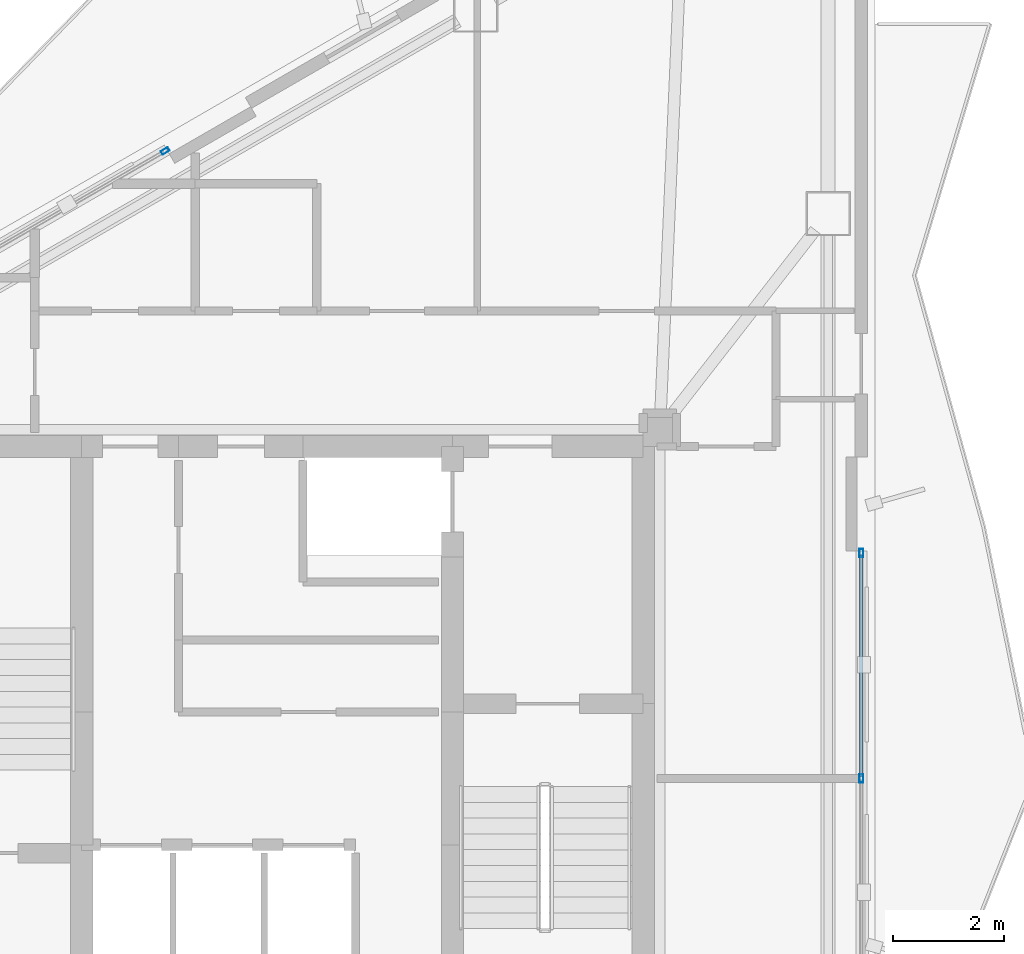
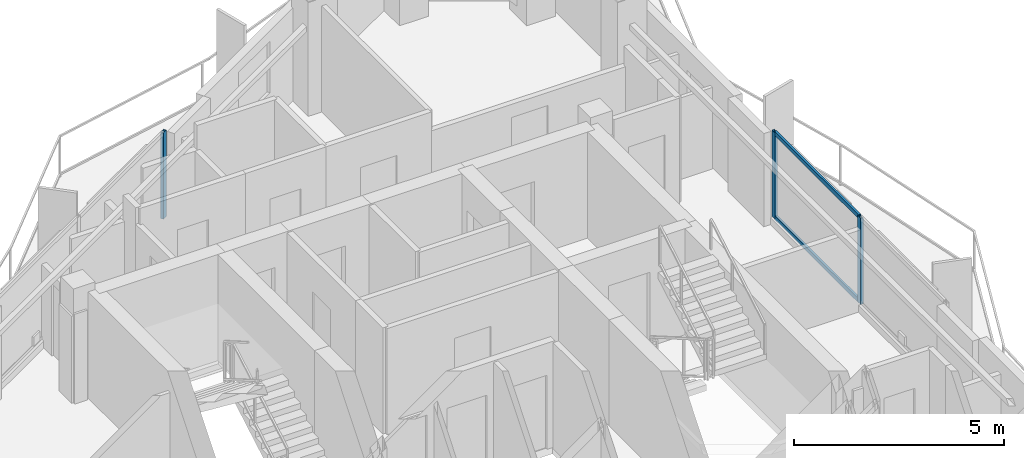
# One storey, part 12 of 18: 5 members, 2 elements without a shape of their own.
"""IFC4 building model written with IfcOpenShell, lengths in metres."""

from ifc_helpers import new_model, si_unit, direction, frame, origin, origin_2d, place, context, subcontext, project, spatial, hollow_rectangle, extrude, material, layer, layer_set, material_profile, profile_set, type_object, element, aggregate, save


model = new_model("IFC4")

# Units and contexts
model_context = context("Model", 3, precision=1e-05, world=origin(), true_north=direction((0.0, 1.0)))
body_context = subcontext(model_context, "Body", "Model", "MODEL_VIEW")
ifc_project = project(units=[si_unit("LENGTHUNIT", "METRE"), si_unit("AREAUNIT", "SQUARE_METRE"), si_unit("VOLUMEUNIT", "CUBIC_METRE"), si_unit("PLANEANGLEUNIT", "RADIAN"), si_unit("MASSUNIT", "GRAM", prefix="KILO")], contexts=[model_context])

# Site, building, storey
site_placement = place(None, origin())
site = spatial("IfcSite", under=ifc_project, at=site_placement, CompositionType="ELEMENT")
building_placement = place(site_placement, origin())
building = spatial("IfcBuilding", under=site, at=building_placement, Name="Mersakhor Tower and Convention Hall", CompositionType="ELEMENT")
storey_placement = place(building_placement, frame((0.0, 0.0, 233.10009765625)))
storey = spatial("IfcBuildingStorey", under=building, at=storey_placement, Name="L65", CompositionType="ELEMENT", Elevation=233.10009765625)

# Curtain wall, member
ifc_material_1 = material(Name="Dark solar low-E aluminium curtain wall", Category="aluminium")
ifc_layer = layer(ifc_material_1, 0.179931640625)
ifc_layer_set = layer_set([ifc_layer], Name="Dark solar low-E aluminium curtain wall")
curtain_wall_type = type_object("IfcCurtainWallType", Name="CW-SYS-03", PredefinedType="USERDEFINED", material=ifc_layer_set)
curtain_wall_1_placement = place(storey_placement, origin())
curtain_wall_1 = element("IfcCurtainWall", 1, at=curtain_wall_1_placement, inside=storey, type_object=curtain_wall_type, Name="L65 Dark-Glass Curtain Wall F1-B2", ObjectType="CURTAIN WALL", PredefinedType="USERDEFINED")
ifc_material_2 = material(Name="Anodised aluminium EN AW-6063 T6", Category="aluminium")
ifc_material_profile_1 = material_profile(ifc_material_2, hollow_rectangle(XDim=0.074951171875, YDim=0.14990234375, WallThickness=0.00634765625, at=origin_2d()), Name="RHS 150x75x6.3")
ifc_profile_set_1 = profile_set([ifc_material_profile_1], Name="Anodised aluminium EN AW-6063 T6")
member_type_1 = type_object("IfcMemberType", Name="CWM-150x75", PredefinedType="MULLION", material=ifc_profile_set_1)
member_1_placement = place(storey_placement, frame((27.158935546875, 38.091796875, 0.199951171875), z_axis=(0.0, 0.0, 1.0), x_axis=(-0.500004411169, 0.86602285698, 0.0)))
member_1 = element("IfcMember", 2, at=member_1_placement, type_object=member_type_1, Name="CW-03 mullion 3", PredefinedType="MULLION", context=body_context, shape_type="SweptSolid", body=[
    extrude(hollow_rectangle(XDim=0.074951171875, YDim=0.14990234375, WallThickness=0.00634765625, at=origin_2d()), origin(), (0.0, 0.0, 1.0), 2.5),
])
aggregate(curtain_wall_1, [member_1])

# Curtain wall, members
curtain_wall_2_placement = place(storey_placement, origin())
curtain_wall_2 = element("IfcCurtainWall", 3, at=curtain_wall_2_placement, inside=storey, type_object=curtain_wall_type, Name="L65 Dark-Glass Curtain Wall F2-B2", ObjectType="CURTAIN WALL", PredefinedType="USERDEFINED")
member_2_placement = place(storey_placement, frame((39.742919921875, 30.826416015625, 0.199951171875), z_axis=(0.0, 0.0, 1.0), x_axis=(1.0, 0.0, 0.0)))
member_2 = element("IfcMember", 4, at=member_2_placement, type_object=member_type_1, Name="CW-03 mullion 1", PredefinedType="MULLION", context=body_context, shape_type="SweptSolid", body=[
    extrude(hollow_rectangle(XDim=0.074951171875, YDim=0.14990234375, WallThickness=0.00634765625, at=origin_2d()), origin(), (0.0, 0.0, 1.0), 2.5),
])
member_3_placement = place(storey_placement, frame((39.742919921875, 26.75, 0.199951171875), z_axis=(0.0, 0.0, 1.0), x_axis=(1.0, 0.0, 0.0)))
member_3 = element("IfcMember", 5, at=member_3_placement, type_object=member_type_1, Name="CW-03 mullion 2", PredefinedType="MULLION", context=body_context, shape_type="SweptSolid", body=[
    extrude(hollow_rectangle(XDim=0.074951171875, YDim=0.14990234375, WallThickness=0.00634765625, at=origin_2d()), origin(), (0.0, 0.0, 1.0), 2.5),
])
ifc_material_3 = material(Name="Anodised aluminium EN AW-6063 T6", Category="aluminium")
ifc_material_profile_2 = material_profile(ifc_material_3, hollow_rectangle(XDim=0.06005859375, YDim=0.1201171875, WallThickness=0.0048828125, at=origin_2d()), Name="RHS 120x60x5")
ifc_profile_set_2 = profile_set([ifc_material_profile_2], Name="Anodised aluminium EN AW-6063 T6")
member_type_2 = type_object("IfcMemberType", Name="CWT-120x60", PredefinedType="USERDEFINED", material=ifc_profile_set_2)
member_4_placement = place(storey_placement, frame((39.742919921875, 30.788818359375, 0.22998046875), z_axis=(0.0, -1.0, 0.0), x_axis=(1.0, 0.0, 0.0)))
member_4 = element("IfcMember", 6, at=member_4_placement, type_object=member_type_2, Name="CW-03 transom 1.1", ObjectType="TRANSOM", PredefinedType="USERDEFINED", context=body_context, shape_type="SweptSolid", body=[
    extrude(hollow_rectangle(XDim=0.06005859375, YDim=0.1201171875, WallThickness=0.0048828125, at=origin_2d()), origin(), (0.0, 0.0, 1.0), 4.001220703125),
])
member_5_placement = place(storey_placement, frame((39.742919921875, 30.788818359375, 2.669921875), z_axis=(0.0, -1.0, 0.0), x_axis=(1.0, 0.0, 0.0)))
member_5 = element("IfcMember", 7, at=member_5_placement, type_object=member_type_2, Name="CW-03 transom 1.2", ObjectType="TRANSOM", PredefinedType="USERDEFINED", context=body_context, shape_type="SweptSolid", body=[
    extrude(hollow_rectangle(XDim=0.06005859375, YDim=0.1201171875, WallThickness=0.0048828125, at=origin_2d()), origin(), (0.0, 0.0, 1.0), 4.001220703125),
])
aggregate(curtain_wall_2, [member_2, member_3, member_4, member_5])

save(model, "model.ifc")
